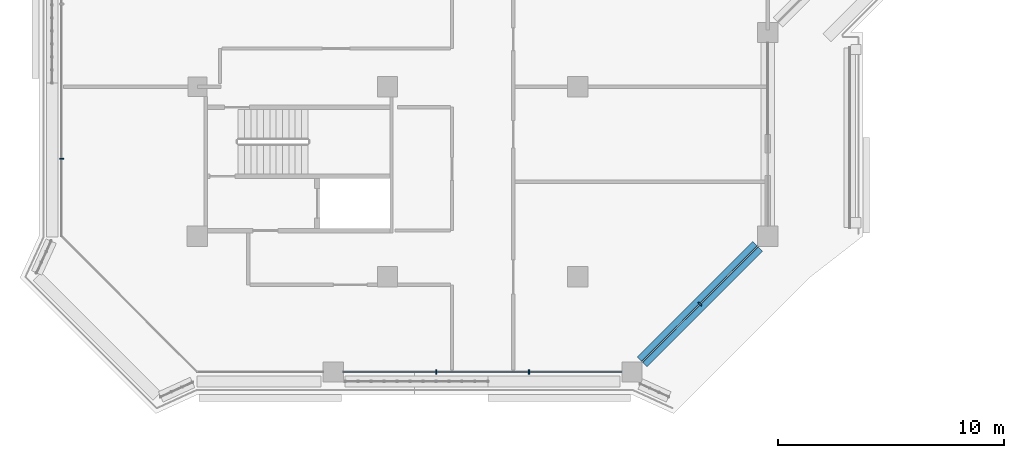
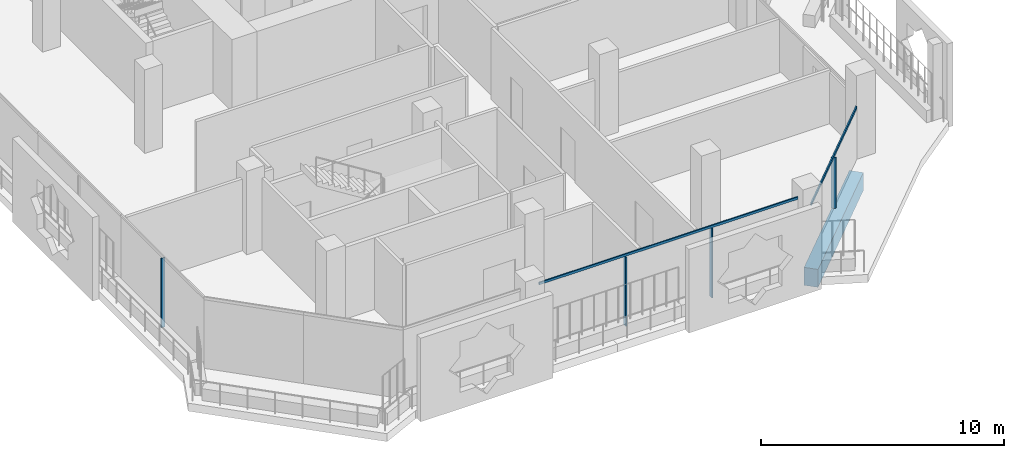
# One storey, part 2 of 21: 6 members, 1 beam, 3 elements without a shape of their own.
"""IFC4 building model written with IfcOpenShell, lengths in metres."""

from ifc_helpers import new_model, si_unit, direction, frame, origin, origin_2d, place, context, subcontext, project, spatial, rectangle, extrude, material, layer, layer_set, material_profile, profile_set, type_object, element, aggregate, save


model = new_model("IFC4")

# Units and contexts
model_context = context("Model", 3, precision=1e-05, world=origin(), true_north=direction((0.0, 1.0)))
body_context = subcontext(model_context, "Body", "Model", "MODEL_VIEW")
ifc_project = project(units=[si_unit("LENGTHUNIT", "METRE"), si_unit("AREAUNIT", "SQUARE_METRE"), si_unit("VOLUMEUNIT", "CUBIC_METRE"), si_unit("PLANEANGLEUNIT", "RADIAN"), si_unit("MASSUNIT", "GRAM", prefix="KILO")], contexts=[model_context])

# Site, building, storey
site_placement = place(None, origin())
site = spatial("IfcSite", under=ifc_project, at=site_placement, CompositionType="ELEMENT")
building_placement = place(site_placement, origin())
building = spatial("IfcBuilding", under=site, at=building_placement, Name="Kawkab Arch Medical Tower", CompositionType="ELEMENT")
storey_placement = place(building_placement, frame((0.0, 0.0, 264.199951171875)))
storey = spatial("IfcBuildingStorey", under=building, at=storey_placement, Name="L61", CompositionType="ELEMENT", Elevation=264.199951171875)

# Curtain wall, member
ifc_material_1 = material(Name="Bronze anodised aluminium curtain wall frame", Category="aluminium")
ifc_layer_1 = layer(ifc_material_1, 0.159912109375)
ifc_layer_set_1 = layer_set([ifc_layer_1], Name="Bronze anodised aluminium curtain wall frame")
curtain_wall_type_1 = type_object("IfcCurtainWallType", Name="CW1 ward curtain wall", PredefinedType="NOTDEFINED", material=ifc_layer_set_1)
placement = place(storey_placement, origin())
curtain_wall_1 = element("IfcCurtainWall", 1, at=placement, inside=storey, type_object=curtain_wall_type_1, Name="CW1 Ward curtain wall R01", PredefinedType="NOTDEFINED")
ifc_material_2 = material(Name="Bronze anodised aluminium curtain wall frame", Category="aluminium")
ifc_material_profile_1 = material_profile(ifc_material_2, rectangle(XDim=0.179931640625, YDim=0.06005859375, at=origin_2d()), Name="AL 60x180")
ifc_profile_set_1 = profile_set([ifc_material_profile_1], Name="Bronze anodised aluminium curtain wall frame")
member_type_1 = type_object("IfcMemberType", Name="CW1 mullion 60 x 180", PredefinedType="MULLION", material=ifc_profile_set_1)
member_1_placement = place(storey_placement, frame((-6.0, -36.780029296875, 0.0), z_axis=(0.0, 0.0, 1.0), x_axis=(1.0, 0.0, 0.0)))
member_1 = element("IfcMember", 2, at=member_1_placement, type_object=member_type_1, Name="CW1 mullion 5.1", PredefinedType="MULLION", context=body_context, shape_type="SweptSolid", body=[
    extrude(rectangle(XDim=0.179931640625, YDim=0.06005859375, at=origin_2d()), origin(), (0.0, 0.0, 1.0), 3.47998046875),
])
aggregate(curtain_wall_1, [member_1])

# Curtain wall, members
curtain_wall_2 = element("IfcCurtainWall", 3, at=placement, inside=storey, type_object=curtain_wall_type_1, Name="CW1 Ward curtain wall R03", PredefinedType="NOTDEFINED")
member_2_placement = place(storey_placement, frame((10.550048828125, -46.199951171875, 0.0), z_axis=(0.0, 0.0, 1.0), x_axis=(0.0, 1.0, 0.0)))
member_2 = element("IfcMember", 4, at=member_2_placement, type_object=member_type_1, Name="CW1 mullion 2.1", PredefinedType="MULLION", context=body_context, shape_type="SweptSolid", body=[
    extrude(rectangle(XDim=0.179931640625, YDim=0.06005859375, at=origin_2d()), origin(), (0.0, 0.0, 1.0), 3.47998046875),
])
member_3_placement = place(storey_placement, frame((14.64990234375, -46.199951171875, 0.0), z_axis=(0.0, 0.0, 1.0), x_axis=(0.0, 1.0, 0.0)))
member_3 = element("IfcMember", 5, at=member_3_placement, type_object=member_type_1, Name="CW1 mullion 2.2", PredefinedType="MULLION", context=body_context, shape_type="SweptSolid", body=[
    extrude(rectangle(XDim=0.179931640625, YDim=0.06005859375, at=origin_2d()), origin(), (0.0, 0.0, 1.0), 3.47998046875),
])
ifc_material_3 = material(Name="Bronze anodised aluminium curtain wall frame", Category="aluminium")
ifc_material_profile_2 = material_profile(ifc_material_3, rectangle(XDim=0.06005859375, YDim=0.1201171875, at=origin_2d()), Name="AL 60x120")
ifc_profile_set_2 = profile_set([ifc_material_profile_2], Name="Bronze anodised aluminium curtain wall frame")
member_type_2 = type_object("IfcMemberType", Name="CW1 transom 120 x 60", PredefinedType="USERDEFINED", material=ifc_profile_set_2)
member_4_placement = place(storey_placement, frame((6.449951171875, -46.199951171875, 3.5400390625), z_axis=(1.0, 0.0, 0.0), x_axis=(0.0, 1.0, 0.0)))
member_4 = element("IfcMember", 6, at=member_4_placement, type_object=member_type_2, Name="CW1 transom 2", ObjectType="TRANSOM", PredefinedType="USERDEFINED", context=body_context, shape_type="SweptSolid", body=[
    extrude(rectangle(XDim=0.06005859375, YDim=0.1201171875, at=origin_2d()), origin(), (0.0, 0.0, 1.0), 12.300048828125),
])
aggregate(curtain_wall_2, [member_4, member_2, member_3])

ifc_material_4 = material(Name="Bronze anodised aluminium curtain wall frame", Category="aluminium")
ifc_layer_2 = layer(ifc_material_4, 0.159912109375)
ifc_layer_set_2 = layer_set([ifc_layer_2], Name="Bronze anodised aluminium curtain wall frame")
curtain_wall_type_2 = type_object("IfcCurtainWallType", Name="CW2 chamfer curtain wall", PredefinedType="NOTDEFINED", material=ifc_layer_set_2)
curtain_wall_3 = element("IfcCurtainWall", 7, at=placement, inside=storey, type_object=curtain_wall_type_2, Name="CW2 Chamfer curtain wall R04", PredefinedType="NOTDEFINED")
ifc_material_5 = material(Name="Bronze anodised aluminium curtain wall frame", Category="aluminium")
ifc_material_profile_3 = material_profile(ifc_material_5, rectangle(XDim=0.199951171875, YDim=0.06005859375, at=origin_2d()), Name="AL 60x200")
ifc_profile_set_3 = profile_set([ifc_material_profile_3], Name="Bronze anodised aluminium curtain wall frame")
member_type_3 = type_object("IfcMemberType", Name="CW2 mullion 60 x 200", PredefinedType="MULLION", material=ifc_profile_set_3)
member_5_placement = place(storey_placement, frame((22.199951171875, -43.199951171875, 0.0), z_axis=(0.0, 0.0, 1.0), x_axis=(-0.707106781187, 0.707106781187, 0.0)))
member_5 = element("IfcMember", 8, at=member_5_placement, type_object=member_type_3, Name="CW2 mullion 1.1", PredefinedType="MULLION", context=body_context, shape_type="SweptSolid", body=[
    extrude(rectangle(XDim=0.199951171875, YDim=0.06005859375, at=origin_2d()), origin(), (0.0, 0.0, 1.0), 2.56005859375),
])
ifc_material_6 = material(Name="Bronze anodised aluminium curtain wall frame", Category="aluminium")
ifc_material_profile_4 = material_profile(ifc_material_6, rectangle(XDim=0.06005859375, YDim=0.139892578125, at=origin_2d()), Name="AL 60x140")
ifc_profile_set_4 = profile_set([ifc_material_profile_4], Name="Bronze anodised aluminium curtain wall frame")
member_type_4 = type_object("IfcMemberType", Name="CW2 transom 140 x 60", PredefinedType="USERDEFINED", material=ifc_profile_set_4)
member_6_placement = place(storey_placement, frame((19.64990234375, -45.75, 2.630126953125), z_axis=(0.707106781187, 0.707106781187, 0.0), x_axis=(-0.707106781187, 0.707106781187, 0.0)))
member_6 = element("IfcMember", 9, at=member_6_placement, type_object=member_type_4, Name="CW2 transom 1", ObjectType="TRANSOM", PredefinedType="USERDEFINED", context=body_context, shape_type="SweptSolid", body=[
    extrude(rectangle(XDim=0.06005859375, YDim=0.139892578125, at=origin_2d()), origin(), (0.0, 0.0, 1.0), 7.212646484375),
])
aggregate(curtain_wall_3, [member_6, member_5])

# Beam
ifc_material_7 = material(Name="Concrete C45/55", Category="concrete")
ifc_material_profile_5 = material_profile(ifc_material_7, rectangle(XDim=0.60009765625, YDim=0.89990234375, at=origin_2d()), Name="RC 600x900")
ifc_profile_set_5 = profile_set([ifc_material_profile_5], Name="Concrete C45/55")
beam_type = type_object("IfcBeamType", Name="RC 600x900 beam C45/55", PredefinedType="BEAM", material=ifc_profile_set_5)
beam_placement = place(storey_placement, frame((24.75, -40.64990234375, -1.050048828125), z_axis=(-0.707106781187, -0.707106781187, 0.0), x_axis=(0.707106781187, -0.707106781187, 0.0)))
element("IfcBeam", 10, at=beam_placement, inside=storey, type_object=beam_type, Name="Overhang edge beam L61-06", PredefinedType="BEAM", context=body_context, shape_type="SweptSolid", body=[
    extrude(rectangle(XDim=0.60009765625, YDim=0.89990234375, at=origin_2d()), origin(), (0.0, 0.0, 1.0), 7.212646484375),
])

save(model, "model.ifc")
